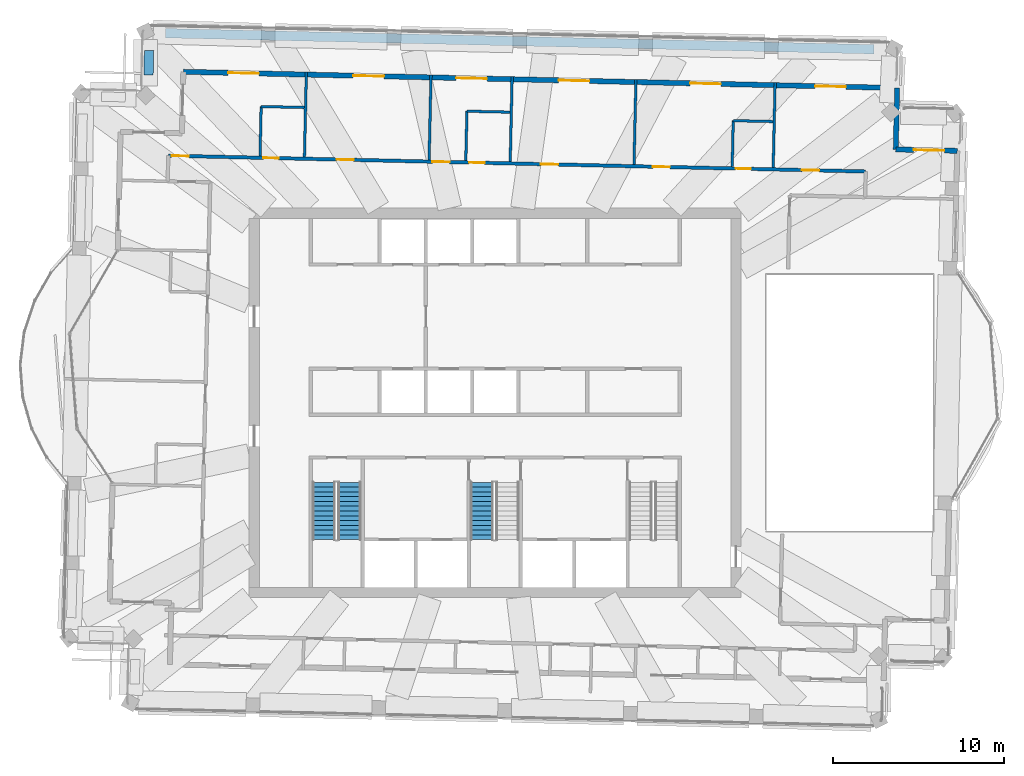
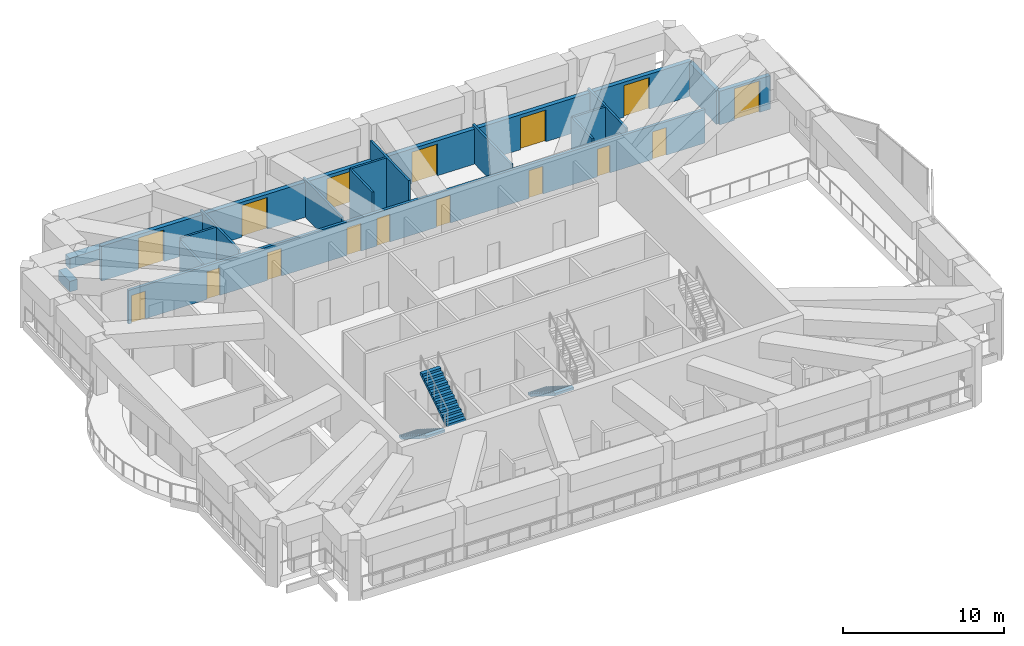
# One storey, part 12 of 19: 17 walls, 16 doors, 3 stair flights, 16 openings, 2 elements without a shape of their own.
"""IFC4 building model written with IfcOpenShell, lengths in metres."""

from ifc_helpers import new_model, si_unit, direction, frame, frame_2d, origin, place, context, subcontext, project, spatial, polyline, rectangle, outline, extrude, material, layer, layer_set, type_object, element, fill, aggregate, save


model = new_model("IFC4")

# Units and contexts
model_context = context("Model", 3, precision=1e-05, world=origin(), true_north=direction((0.0, 1.0)))
body_context = subcontext(model_context, "Body", "Model", "MODEL_VIEW")
ifc_project = project(units=[si_unit("LENGTHUNIT", "METRE"), si_unit("AREAUNIT", "SQUARE_METRE"), si_unit("VOLUMEUNIT", "CUBIC_METRE"), si_unit("PLANEANGLEUNIT", "RADIAN"), si_unit("MASSUNIT", "GRAM", prefix="KILO")], contexts=[model_context])

# Site, building, storey
site_placement = place(None, origin())
site = spatial("IfcSite", under=ifc_project, at=site_placement, CompositionType="ELEMENT")
building_placement = place(site_placement, origin())
building = spatial("IfcBuilding", under=site, at=building_placement, Name="Mangrove Gate Tower", CompositionType="ELEMENT")
storey_placement = place(building_placement, frame((0.0, 0.0, 346.10009765625)))
storey = spatial("IfcBuildingStorey", under=building, at=storey_placement, Name="L88", CompositionType="ELEMENT", Elevation=346.10009765625)

# Wall, openings, doors
ifc_material_1 = material(Name="Gypsum board on steel stud, EI 60", Category="steel")
ifc_layer_1 = layer(ifc_material_1, 0.199951171875)
ifc_layer_set_1 = layer_set([ifc_layer_1], Name="Corridor wall EI 60")
wall_type_1 = type_object("IfcWallType", Name="Corridor wall EI 60", PredefinedType="PARTITIONING", material=ifc_layer_set_1)
wall_1_placement = place(storey_placement, frame((-19.132080078125, 14.470947265625, 0.0), z_axis=(0.0, 0.0, 1.0), x_axis=(0.999742846934, -0.022676860534, 0.0)))
wall_1 = element("IfcWall", 1, at=wall_1_placement, inside=storey, type_object=wall_type_1, Name="WALL-L88-031", PredefinedType="PARTITIONING", context=body_context, shape_type="SweptSolid", body=[
    extrude(rectangle(XDim=40.835693359375, YDim=0.199951171875, at=frame_2d((20.41796875, 0.0))), origin(), (0.0, 0.0, 1.0), 2.5498046875),
])
opening_1_placement = place(wall_1_placement, frame((37.10791015625, 0.0, 0.0)))
opening_1 = element("IfcOpeningElement", 2, at=opening_1_placement, cuts=wall_1, Name="Opening AD", PredefinedType="OPENING", context=body_context, shape_type="SweptSolid", body=[
    extrude(rectangle(XDim=1.0, YDim=2.10009765625, at=frame_2d((0.5, 1.050048828125))), frame((0.0, 0.10986328125, 0.0), z_axis=(0.0, -1.0, 0.0), x_axis=(1.0, 0.0, 0.0)), (0.0, 0.0, 1.0), 0.219970703125),
])
opening_2_placement = place(wall_1_placement, frame((28.3720703125, 0.0, 0.0)))
opening_2 = element("IfcOpeningElement", 3, at=opening_2_placement, cuts=wall_1, Name="Opening AD", PredefinedType="OPENING", context=body_context, shape_type="SweptSolid", body=[
    extrude(rectangle(XDim=1.0, YDim=2.10009765625, at=frame_2d((0.5, 1.050048828125))), frame((0.0, 0.10986328125, 0.0), z_axis=(0.0, -1.0, 0.0), x_axis=(1.0, 0.0, 0.0)), (0.0, 0.0, 1.0), 0.219970703125),
])
opening_3_placement = place(wall_1_placement, frame((33.218017578125, 0.0, 0.0)))
opening_3 = element("IfcOpeningElement", 4, at=opening_3_placement, cuts=wall_1, Name="Opening SD", PredefinedType="OPENING", context=body_context, shape_type="SweptSolid", body=[
    extrude(rectangle(XDim=0.89990234375, YDim=2.10009765625, at=frame_2d((0.449951171875, 1.050048828125))), frame((0.0, 0.10986328125, 0.0), z_axis=(0.0, -1.0, 0.0), x_axis=(1.0, 0.0, 0.0)), (0.0, 0.0, 1.0), 0.219970703125),
])
opening_4_placement = place(wall_1_placement, frame((21.822998046875, 0.0, 0.0)))
opening_4 = element("IfcOpeningElement", 5, at=opening_4_placement, cuts=wall_1, Name="Opening AD", PredefinedType="OPENING", context=body_context, shape_type="SweptSolid", body=[
    extrude(rectangle(XDim=1.0, YDim=2.10009765625, at=frame_2d((0.5, 1.050048828125))), frame((0.0, 0.10986328125, 0.0), z_axis=(0.0, -1.0, 0.0), x_axis=(1.0, 0.0, 0.0)), (0.0, 0.0, 1.0), 0.219970703125),
])
opening_5_placement = place(wall_1_placement, frame((15.468017578125, 0.0, 0.0)))
opening_5 = element("IfcOpeningElement", 6, at=opening_5_placement, cuts=wall_1, Name="Opening AD", PredefinedType="OPENING", context=body_context, shape_type="SweptSolid", body=[
    extrude(rectangle(XDim=1.0, YDim=2.10009765625, at=frame_2d((0.5, 1.050048828125))), frame((0.0, 0.10986328125, 0.0), z_axis=(0.0, -1.0, 0.0), x_axis=(1.0, 0.0, 0.0)), (0.0, 0.0, 1.0), 0.219970703125),
])
opening_6_placement = place(wall_1_placement, frame((17.617919921875, 0.0, 0.0)))
opening_6 = element("IfcOpeningElement", 7, at=opening_6_placement, cuts=wall_1, Name="Opening SD", PredefinedType="OPENING", context=body_context, shape_type="SweptSolid", body=[
    extrude(rectangle(XDim=0.89990234375, YDim=2.10009765625, at=frame_2d((0.449951171875, 1.050048828125))), frame((0.0, 0.10986328125, 0.0), z_axis=(0.0, -1.0, 0.0), x_axis=(1.0, 0.0, 0.0)), (0.0, 0.0, 1.0), 0.219970703125),
])
opening_7_placement = place(wall_1_placement, frame((9.85205078125, 0.0, 0.0)))
opening_7 = element("IfcOpeningElement", 8, at=opening_7_placement, cuts=wall_1, Name="Opening AD", PredefinedType="OPENING", context=body_context, shape_type="SweptSolid", body=[
    extrude(rectangle(XDim=1.0, YDim=2.10009765625, at=frame_2d((0.5, 1.050048828125))), frame((0.0, 0.10986328125, 0.0), z_axis=(0.0, -1.0, 0.0), x_axis=(1.0, 0.0, 0.0)), (0.0, 0.0, 1.0), 0.219970703125),
])
opening_8_placement = place(wall_1_placement, frame((0.199951171875, 0.0, 0.0)))
opening_8 = element("IfcOpeningElement", 9, at=opening_8_placement, cuts=wall_1, Name="Opening AD", PredefinedType="OPENING", context=body_context, shape_type="SweptSolid", body=[
    extrude(rectangle(XDim=1.0, YDim=2.10009765625, at=frame_2d((0.5, 1.050048828125))), frame((0.0, 0.10986328125, 0.0), z_axis=(0.0, -1.0, 0.0), x_axis=(1.0, 0.0, 0.0)), (0.0, 0.0, 1.0), 0.219970703125),
])
opening_9_placement = place(wall_1_placement, frame((5.568115234375, 0.0, 0.0)))
opening_9 = element("IfcOpeningElement", 10, at=opening_9_placement, cuts=wall_1, Name="Opening SD", PredefinedType="OPENING", context=body_context, shape_type="SweptSolid", body=[
    extrude(rectangle(XDim=0.89990234375, YDim=2.10009765625, at=frame_2d((0.449951171875, 1.050048828125))), frame((0.0, 0.10986328125, 0.0), z_axis=(0.0, -1.0, 0.0), x_axis=(1.0, 0.0, 0.0)), (0.0, 0.0, 1.0), 0.219970703125),
])
ifc_material_2 = material(Name="Timber door leaf", Category="wood")
door_type_1 = type_object("IfcDoorType", Name="Amenity door 1000", OperationType="SINGLE_SWING_LEFT", PredefinedType="DOOR", material=ifc_material_2)
door_1_placement = place(opening_1_placement, origin())
door_1 = element("IfcDoor", 11, at=door_1_placement, inside=storey, type_object=door_type_1, Name="DOOR-L88-GAM-c3a", OperationType="SINGLE_SWING_LEFT", OverallHeight=2.10009765625, OverallWidth=1.0, PredefinedType="DOOR", context=body_context, shape_type="SweptSolid", body=[
    extrude(rectangle(XDim=1.0, YDim=2.10009765625, at=frame_2d((0.5, 1.050048828125))), frame((0.0, 0.02490234375, 0.0), z_axis=(0.0, -1.0, 0.0), x_axis=(1.0, 0.0, 0.0)), (0.0, 0.0, 1.0), 0.050048828125),
])
fill(opening_1, door_1)
door_2_placement = place(opening_2_placement, origin())
door_2 = element("IfcDoor", 12, at=door_2_placement, inside=storey, type_object=door_type_1, Name="DOOR-L88-LNG-c3a", OperationType="SINGLE_SWING_RIGHT", OverallHeight=2.10009765625, OverallWidth=1.0, PredefinedType="DOOR", context=body_context, shape_type="SweptSolid", body=[
    extrude(rectangle(XDim=1.0, YDim=2.10009765625, at=frame_2d((0.5, 1.050048828125))), frame((0.0, 0.02490234375, 0.0), z_axis=(0.0, -1.0, 0.0), x_axis=(1.0, 0.0, 0.0)), (0.0, 0.0, 1.0), 0.050048828125),
])
fill(opening_2, door_2)
door_3_placement = place(opening_4_placement, origin())
door_3 = element("IfcDoor", 13, at=door_3_placement, inside=storey, type_object=door_type_1, Name="DOOR-L88-GAM-c3b", OperationType="SINGLE_SWING_LEFT", OverallHeight=2.10009765625, OverallWidth=1.0, PredefinedType="DOOR", context=body_context, shape_type="SweptSolid", body=[
    extrude(rectangle(XDim=1.0, YDim=2.10009765625, at=frame_2d((0.5, 1.050048828125))), frame((0.0, 0.02490234375, 0.0), z_axis=(0.0, -1.0, 0.0), x_axis=(1.0, 0.0, 0.0)), (0.0, 0.0, 1.0), 0.050048828125),
])
fill(opening_4, door_3)
door_4_placement = place(opening_5_placement, origin())
door_4 = element("IfcDoor", 14, at=door_4_placement, inside=storey, type_object=door_type_1, Name="DOOR-L88-STU-c4a", OperationType="SINGLE_SWING_RIGHT", OverallHeight=2.10009765625, OverallWidth=1.0, PredefinedType="DOOR", context=body_context, shape_type="SweptSolid", body=[
    extrude(rectangle(XDim=1.0, YDim=2.10009765625, at=frame_2d((0.5, 1.050048828125))), frame((0.0, 0.02490234375, 0.0), z_axis=(0.0, -1.0, 0.0), x_axis=(1.0, 0.0, 0.0)), (0.0, 0.0, 1.0), 0.050048828125),
])
fill(opening_5, door_4)
door_5_placement = place(opening_7_placement, origin())
door_5 = element("IfcDoor", 15, at=door_5_placement, inside=storey, type_object=door_type_1, Name="DOOR-L88-GAM-c4a", OperationType="SINGLE_SWING_LEFT", OverallHeight=2.10009765625, OverallWidth=1.0, PredefinedType="DOOR", context=body_context, shape_type="SweptSolid", body=[
    extrude(rectangle(XDim=1.0, YDim=2.10009765625, at=frame_2d((0.5, 1.050048828125))), frame((0.0, 0.02490234375, 0.0), z_axis=(0.0, -1.0, 0.0), x_axis=(1.0, 0.0, 0.0)), (0.0, 0.0, 1.0), 0.050048828125),
])
fill(opening_7, door_5)
door_6_placement = place(opening_8_placement, origin())
door_6 = element("IfcDoor", 16, at=door_6_placement, inside=storey, type_object=door_type_1, Name="DOOR-L88-GAM-c4b", OperationType="SINGLE_SWING_RIGHT", OverallHeight=2.10009765625, OverallWidth=1.0, PredefinedType="DOOR", context=body_context, shape_type="SweptSolid", body=[
    extrude(rectangle(XDim=1.0, YDim=2.10009765625, at=frame_2d((0.5, 1.050048828125))), frame((0.0, 0.02490234375, 0.0), z_axis=(0.0, -1.0, 0.0), x_axis=(1.0, 0.0, 0.0)), (0.0, 0.0, 1.0), 0.050048828125),
])
fill(opening_8, door_6)
ifc_material_3 = material(Name="Timber door leaf", Category="wood")
door_type_2 = type_object("IfcDoorType", Name="Service room door 900", OperationType="SINGLE_SWING_LEFT", PredefinedType="DOOR", material=ifc_material_3)
door_7_placement = place(opening_3_placement, origin())
door_7 = element("IfcDoor", 17, at=door_7_placement, inside=storey, type_object=door_type_2, Name="DOOR-L88-WC-c3a", OperationType="SINGLE_SWING_LEFT", OverallHeight=2.10009765625, OverallWidth=0.89990234375, PredefinedType="DOOR", context=body_context, shape_type="SweptSolid", body=[
    extrude(rectangle(XDim=0.89990234375, YDim=2.10009765625, at=frame_2d((0.449951171875, 1.050048828125))), frame((0.0, 0.02490234375, 0.0), z_axis=(0.0, -1.0, 0.0), x_axis=(1.0, 0.0, 0.0)), (0.0, 0.0, 1.0), 0.050048828125),
])
fill(opening_3, door_7)
door_8_placement = place(opening_6_placement, origin())
door_8 = element("IfcDoor", 18, at=door_8_placement, inside=storey, type_object=door_type_2, Name="DOOR-L88-AWC-c4a", OperationType="SINGLE_SWING_RIGHT", OverallHeight=2.10009765625, OverallWidth=0.89990234375, PredefinedType="DOOR", context=body_context, shape_type="SweptSolid", body=[
    extrude(rectangle(XDim=0.89990234375, YDim=2.10009765625, at=frame_2d((0.449951171875, 1.050048828125))), frame((0.0, 0.02490234375, 0.0), z_axis=(0.0, -1.0, 0.0), x_axis=(1.0, 0.0, 0.0)), (0.0, 0.0, 1.0), 0.050048828125),
])
fill(opening_6, door_8)
door_9_placement = place(opening_9_placement, origin())
door_9 = element("IfcDoor", 19, at=door_9_placement, inside=storey, type_object=door_type_2, Name="DOOR-L88-AWC-c4b", OperationType="SINGLE_SWING_LEFT", OverallHeight=2.10009765625, OverallWidth=0.89990234375, PredefinedType="DOOR", context=body_context, shape_type="SweptSolid", body=[
    extrude(rectangle(XDim=0.89990234375, YDim=2.10009765625, at=frame_2d((0.449951171875, 1.050048828125))), frame((0.0, 0.02490234375, 0.0), z_axis=(0.0, -1.0, 0.0), x_axis=(1.0, 0.0, 0.0)), (0.0, 0.0, 1.0), 0.050048828125),
])
fill(opening_9, door_9)

# Wall, opening, door
ifc_material_4 = material(Name="Limestone", Category="masonry")
ifc_layer_2 = layer(ifc_material_4, 0.0400390625, Name="Limestone cladding")
ifc_material_5 = material(Name="Ventilated air gap")
ifc_layer_3 = layer(ifc_material_5, 0.0400390625, Name="Ventilated cavity")
ifc_material_6 = material(Name="Mineral wool insulation")
ifc_layer_4 = layer(ifc_material_6, 0.06005859375, Name="Insulation")
ifc_material_7 = material(Name="Breather membrane")
ifc_layer_5 = layer(ifc_material_7, 0.001953125, Name="Breather membrane")
ifc_material_8 = material(Name="Concrete C20/25 blockwork", Category="masonry")
ifc_layer_6 = layer(ifc_material_8, 0.14990234375, Name="Blockwork backing wall")
ifc_material_9 = material(Name="Gypsum plaster")
ifc_layer_7 = layer(ifc_material_9, 0.008056640625, Name="Internal plaster")
ifc_layer_set_2 = layer_set([ifc_layer_2, ifc_layer_3, ifc_layer_4, ifc_layer_5, ifc_layer_6, ifc_layer_7], Name="External wall 300 limestone cladding")
wall_type_2 = type_object("IfcWallType", Name="External wall 300 limestone cladding", PredefinedType="SOLIDWALL", material=ifc_layer_set_2)
wall_2_placement = place(storey_placement, frame((27.054931640625, 14.7529296875, 0.0), z_axis=(0.0, 0.0, 1.0), x_axis=(-0.999740327787, 0.022787650101, 0.0)))
wall_2 = element("IfcWall", 20, at=wall_2_placement, inside=storey, type_object=wall_type_2, Name="WALL-L88-N3", PredefinedType="SOLIDWALL", context=body_context, shape_type="SweptSolid", body=[
    extrude(rectangle(XDim=3.599853515625, YDim=0.300048828125, at=frame_2d((1.7998046875, 0.0))), origin(), (0.0, 0.0, 1.0), 2.5498046875),
])
opening_10_placement = place(wall_2_placement, frame((0.75, 0.0, 0.0)))
opening_10 = element("IfcOpeningElement", 21, at=opening_10_placement, cuts=wall_2, Name="Opening TD1", PredefinedType="OPENING", context=body_context, shape_type="SweptSolid", body=[
    extrude(rectangle(XDim=1.800048828125, YDim=2.39990234375, at=frame_2d((0.89990234375, 1.199951171875))), frame((0.0, 0.159912109375, 0.0), z_axis=(0.0, -1.0, 0.0), x_axis=(1.0, 0.0, 0.0)), (0.0, 0.0, 1.0), 0.320068359375),
])
ifc_material_10 = material(Name="Aluminium frame with laminated clear glass", Category="aluminium")
door_type_3 = type_object("IfcDoorType", Name="Terrace door 1800x2400", OperationType="DOUBLE_DOOR_SINGLE_SWING", PredefinedType="DOOR", material=ifc_material_10)
door_10_placement = place(opening_10_placement, origin())
door_10 = element("IfcDoor", 22, at=door_10_placement, inside=storey, type_object=door_type_3, Name="DOOR-L88-N3-1", OperationType="DOUBLE_DOOR_SINGLE_SWING", OverallHeight=2.39990234375, OverallWidth=1.800048828125, PredefinedType="DOOR", context=body_context, shape_type="SweptSolid", body=[
    extrude(rectangle(XDim=1.800048828125, YDim=2.39990234375, at=frame_2d((0.89990234375, 1.199951171875))), frame((0.0, 0.02490234375, 0.0), z_axis=(0.0, -1.0, 0.0), x_axis=(1.0, 0.0, 0.0)), (0.0, 0.0, 1.0), 0.050048828125),
])
fill(opening_10, door_10)

# Wall
wall_3_placement = place(storey_placement, frame((23.4560546875, 14.8349609375, 0.0), z_axis=(0.0, 0.0, 1.0), x_axis=(0.022514980321, 0.999746505701, 0.0)))
element("IfcWall", 23, at=wall_3_placement, inside=storey, type_object=wall_type_2, Name="WALL-L88-E4", PredefinedType="SOLIDWALL", context=body_context, shape_type="SweptSolid", body=[
    extrude(rectangle(XDim=3.60009765625, YDim=0.300048828125, at=frame_2d((1.800048828125, 0.0))), origin(), (0.0, 0.0, 1.0), 2.5498046875),
])

# Wall, openings, doors
wall_4_placement = place(storey_placement, frame((23.537109375, 18.43408203125, 0.0), z_axis=(0.0, 0.0, 1.0), x_axis=(-0.999742787513, 0.022679480066, 0.0)))
wall_4 = element("IfcWall", 24, at=wall_4_placement, inside=storey, type_object=wall_type_2, Name="WALL-L88-N5", PredefinedType="SOLIDWALL", context=body_context, shape_type="SweptSolid", body=[
    extrude(rectangle(XDim=41.7998046875, YDim=0.300048828125, at=frame_2d((20.89990234375, 0.0))), origin(), (0.0, 0.0, 1.0), 2.64990234375),
])
opening_11_placement = place(wall_4_placement, frame((3.0, 0.0, 0.0)))
opening_11 = element("IfcOpeningElement", 25, at=opening_11_placement, cuts=wall_4, Name="Opening TD1", PredefinedType="OPENING", context=body_context, shape_type="SweptSolid", body=[
    extrude(rectangle(XDim=1.800048828125, YDim=2.39990234375, at=frame_2d((0.89990234375, 1.199951171875))), frame((0.0, 0.159912109375, 0.0), z_axis=(0.0, -1.0, 0.0), x_axis=(1.0, 0.0, 0.0)), (0.0, 0.0, 1.0), 0.320068359375),
])
opening_12_placement = place(wall_4_placement, frame((10.324951171875, 0.0, 0.0)))
opening_12 = element("IfcOpeningElement", 26, at=opening_12_placement, cuts=wall_4, Name="Opening TD1", PredefinedType="OPENING", context=body_context, shape_type="SweptSolid", body=[
    extrude(rectangle(XDim=1.800048828125, YDim=2.39990234375, at=frame_2d((0.89990234375, 1.199951171875))), frame((0.0, 0.159912109375, 0.0), z_axis=(0.0, -1.0, 0.0), x_axis=(1.0, 0.0, 0.0)), (0.0, 0.0, 1.0), 0.320068359375),
])
opening_13_placement = place(wall_4_placement, frame((18.02490234375, 0.0, 0.0)))
opening_13 = element("IfcOpeningElement", 27, at=opening_13_placement, cuts=wall_4, Name="Opening TD1", PredefinedType="OPENING", context=body_context, shape_type="SweptSolid", body=[
    extrude(rectangle(XDim=1.800048828125, YDim=2.39990234375, at=frame_2d((0.89990234375, 1.199951171875))), frame((0.0, 0.159912109375, 0.0), z_axis=(0.0, -1.0, 0.0), x_axis=(1.0, 0.0, 0.0)), (0.0, 0.0, 1.0), 0.320068359375),
])
opening_14_placement = place(wall_4_placement, frame((24.02490234375, 0.0, 0.0)))
opening_14 = element("IfcOpeningElement", 28, at=opening_14_placement, cuts=wall_4, Name="Opening TD1", PredefinedType="OPENING", context=body_context, shape_type="SweptSolid", body=[
    extrude(rectangle(XDim=1.800048828125, YDim=2.39990234375, at=frame_2d((0.89990234375, 1.199951171875))), frame((0.0, 0.159912109375, 0.0), z_axis=(0.0, -1.0, 0.0), x_axis=(1.0, 0.0, 0.0)), (0.0, 0.0, 1.0), 0.320068359375),
])
opening_15_placement = place(wall_4_placement, frame((30.050048828125, 0.0, 0.0)))
opening_15 = element("IfcOpeningElement", 29, at=opening_15_placement, cuts=wall_4, Name="Opening TD1", PredefinedType="OPENING", context=body_context, shape_type="SweptSolid", body=[
    extrude(rectangle(XDim=1.800048828125, YDim=2.39990234375, at=frame_2d((0.89990234375, 1.199951171875))), frame((0.0, 0.159912109375, 0.0), z_axis=(0.0, -1.0, 0.0), x_axis=(1.0, 0.0, 0.0)), (0.0, 0.0, 1.0), 0.320068359375),
])
opening_16_placement = place(wall_4_placement, frame((37.375, 0.0, 0.0)))
opening_16 = element("IfcOpeningElement", 30, at=opening_16_placement, cuts=wall_4, Name="Opening TD1", PredefinedType="OPENING", context=body_context, shape_type="SweptSolid", body=[
    extrude(rectangle(XDim=1.800048828125, YDim=2.39990234375, at=frame_2d((0.89990234375, 1.199951171875))), frame((0.0, 0.159912109375, 0.0), z_axis=(0.0, -1.0, 0.0), x_axis=(1.0, 0.0, 0.0)), (0.0, 0.0, 1.0), 0.320068359375),
])
door_11_placement = place(opening_11_placement, origin())
door_11 = element("IfcDoor", 31, at=door_11_placement, inside=storey, type_object=door_type_3, Name="DOOR-L88-N5-1", OperationType="DOUBLE_DOOR_SINGLE_SWING", OverallHeight=2.39990234375, OverallWidth=1.800048828125, PredefinedType="DOOR", context=body_context, shape_type="SweptSolid", body=[
    extrude(rectangle(XDim=1.800048828125, YDim=2.39990234375, at=frame_2d((0.89990234375, 1.199951171875))), frame((0.0, 0.02490234375, 0.0), z_axis=(0.0, -1.0, 0.0), x_axis=(1.0, 0.0, 0.0)), (0.0, 0.0, 1.0), 0.050048828125),
])
fill(opening_11, door_11)
door_12_placement = place(opening_12_placement, origin())
door_12 = element("IfcDoor", 32, at=door_12_placement, inside=storey, type_object=door_type_3, Name="DOOR-L88-N5-2", OperationType="DOUBLE_DOOR_SINGLE_SWING", OverallHeight=2.39990234375, OverallWidth=1.800048828125, PredefinedType="DOOR", context=body_context, shape_type="SweptSolid", body=[
    extrude(rectangle(XDim=1.800048828125, YDim=2.39990234375, at=frame_2d((0.89990234375, 1.199951171875))), frame((0.0, 0.02490234375, 0.0), z_axis=(0.0, -1.0, 0.0), x_axis=(1.0, 0.0, 0.0)), (0.0, 0.0, 1.0), 0.050048828125),
])
fill(opening_12, door_12)
door_13_placement = place(opening_13_placement, origin())
door_13 = element("IfcDoor", 33, at=door_13_placement, inside=storey, type_object=door_type_3, Name="DOOR-L88-N5-3", OperationType="DOUBLE_DOOR_SINGLE_SWING", OverallHeight=2.39990234375, OverallWidth=1.800048828125, PredefinedType="DOOR", context=body_context, shape_type="SweptSolid", body=[
    extrude(rectangle(XDim=1.800048828125, YDim=2.39990234375, at=frame_2d((0.89990234375, 1.199951171875))), frame((0.0, 0.02490234375, 0.0), z_axis=(0.0, -1.0, 0.0), x_axis=(1.0, 0.0, 0.0)), (0.0, 0.0, 1.0), 0.050048828125),
])
fill(opening_13, door_13)
door_14_placement = place(opening_14_placement, origin())
door_14 = element("IfcDoor", 34, at=door_14_placement, inside=storey, type_object=door_type_3, Name="DOOR-L88-N5-4", OperationType="DOUBLE_DOOR_SINGLE_SWING", OverallHeight=2.39990234375, OverallWidth=1.800048828125, PredefinedType="DOOR", context=body_context, shape_type="SweptSolid", body=[
    extrude(rectangle(XDim=1.800048828125, YDim=2.39990234375, at=frame_2d((0.89990234375, 1.199951171875))), frame((0.0, 0.02490234375, 0.0), z_axis=(0.0, -1.0, 0.0), x_axis=(1.0, 0.0, 0.0)), (0.0, 0.0, 1.0), 0.050048828125),
])
fill(opening_14, door_14)
door_15_placement = place(opening_15_placement, origin())
door_15 = element("IfcDoor", 35, at=door_15_placement, inside=storey, type_object=door_type_3, Name="DOOR-L88-N5-5", OperationType="DOUBLE_DOOR_SINGLE_SWING", OverallHeight=2.39990234375, OverallWidth=1.800048828125, PredefinedType="DOOR", context=body_context, shape_type="SweptSolid", body=[
    extrude(rectangle(XDim=1.800048828125, YDim=2.39990234375, at=frame_2d((0.89990234375, 1.199951171875))), frame((0.0, 0.02490234375, 0.0), z_axis=(0.0, -1.0, 0.0), x_axis=(1.0, 0.0, 0.0)), (0.0, 0.0, 1.0), 0.050048828125),
])
fill(opening_15, door_15)
door_16_placement = place(opening_16_placement, origin())
door_16 = element("IfcDoor", 36, at=door_16_placement, inside=storey, type_object=door_type_3, Name="DOOR-L88-N5-6", OperationType="DOUBLE_DOOR_SINGLE_SWING", OverallHeight=2.39990234375, OverallWidth=1.800048828125, PredefinedType="DOOR", context=body_context, shape_type="SweptSolid", body=[
    extrude(rectangle(XDim=1.800048828125, YDim=2.39990234375, at=frame_2d((0.89990234375, 1.199951171875))), frame((0.0, 0.02490234375, 0.0), z_axis=(0.0, -1.0, 0.0), x_axis=(1.0, 0.0, 0.0)), (0.0, 0.0, 1.0), 0.050048828125),
])
fill(opening_16, door_16)

# Walls
ifc_material_11 = material(Name="Gypsum board on steel stud, EI 60", Category="steel")
ifc_layer_8 = layer(ifc_material_11, 0.14990234375)
ifc_layer_set_3 = layer_set([ifc_layer_8], Name="Party wall 150 EI 60")
wall_type_3 = type_object("IfcWallType", Name="Party wall 150 EI 60", PredefinedType="PARTITIONING", material=ifc_layer_set_3)
wall_5_placement = place(storey_placement, frame((-13.762939453125, 14.452880859375, 0.0), z_axis=(0.0, 0.0, 1.0), x_axis=(0.022730967319, 0.999741618182, 0.0)))
element("IfcWall", 37, at=wall_5_placement, inside=storey, type_object=wall_type_3, Name="WALL-L88-032", PredefinedType="PARTITIONING", context=body_context, shape_type="SweptSolid", body=[
    extrude(rectangle(XDim=2.89990234375, YDim=0.14990234375, at=frame_2d((1.449951171875, 0.0))), origin(), (0.0, 0.0, 1.0), 2.64990234375),
])
wall_6_placement = place(storey_placement, frame((-11.1630859375, 14.39404296875, 0.0), z_axis=(0.0, 0.0, 1.0), x_axis=(0.022715832973, 0.999741962174, 0.0)))
element("IfcWall", 38, at=wall_6_placement, inside=storey, type_object=wall_type_3, Name="WALL-L88-033", PredefinedType="PARTITIONING", context=body_context, shape_type="SweptSolid", body=[
    extrude(rectangle(XDim=4.97607421875, YDim=0.14990234375, at=frame_2d((2.488037109375, 0.0))), origin(), (0.0, 0.0, 1.0), 2.849853515625),
])
wall_7_placement = place(storey_placement, frame((-3.864990234375, 14.22900390625, 0.0), z_axis=(0.0, 0.0, 1.0), x_axis=(0.022720290659, 0.999741860878, 0.0)))
element("IfcWall", 39, at=wall_7_placement, inside=storey, type_object=wall_type_3, Name="WALL-L88-034", PredefinedType="PARTITIONING", context=body_context, shape_type="SweptSolid", body=[
    extrude(rectangle(XDim=4.97509765625, YDim=0.14990234375, at=frame_2d((2.487548828125, 0.0))), origin(), (0.0, 0.0, 1.0), 2.849853515625),
])
wall_8_placement = place(storey_placement, frame((-1.716064453125, 14.179931640625, 0.0), z_axis=(0.0, 0.0, 1.0), x_axis=(0.022815112345, 0.999739701447, 0.0)))
element("IfcWall", 40, at=wall_8_placement, inside=storey, type_object=wall_type_3, Name="WALL-L88-035", PredefinedType="PARTITIONING", context=body_context, shape_type="SweptSolid", body=[
    extrude(rectangle(XDim=2.89990234375, YDim=0.14990234375, at=frame_2d((1.449951171875, 0.0))), origin(), (0.0, 0.0, 1.0), 4.0498046875),
])
wall_9_placement = place(storey_placement, frame((0.884033203125, 14.12109375, 0.0), z_axis=(0.0, 0.0, 1.0), x_axis=(0.022519683834, 0.999746399763, 0.0)))
element("IfcWall", 41, at=wall_9_placement, inside=storey, type_object=wall_type_3, Name="WALL-L88-036", PredefinedType="PARTITIONING", context=body_context, shape_type="SweptSolid", body=[
    extrude(rectangle(XDim=4.97607421875, YDim=0.14990234375, at=frame_2d((2.488037109375, 0.0))), origin(), (0.0, 0.0, 1.0), 4.0498046875),
])
wall_10_placement = place(storey_placement, frame((8.132080078125, 13.9560546875, 0.0), z_axis=(0.0, 0.0, 1.0), x_axis=(0.022715832973, 0.999741962174, 0.0)))
element("IfcWall", 42, at=wall_10_placement, inside=storey, type_object=wall_type_3, Name="WALL-L88-037", PredefinedType="PARTITIONING", context=body_context, shape_type="SweptSolid", body=[
    extrude(rectangle(XDim=4.97607421875, YDim=0.14990234375, at=frame_2d((2.488037109375, 0.0))), origin(), (0.0, 0.0, 1.0), 2.849853515625),
])
wall_11_placement = place(storey_placement, frame((13.8798828125, 13.825927734375, 0.0), z_axis=(0.0, 0.0, 1.0), x_axis=(0.02260842146, 0.999744396973, 0.0)))
element("IfcWall", 43, at=wall_11_placement, inside=storey, type_object=wall_type_3, Name="WALL-L88-038", PredefinedType="PARTITIONING", context=body_context, shape_type="SweptSolid", body=[
    extrude(rectangle(XDim=2.69970703125, YDim=0.14990234375, at=frame_2d((1.349853515625, 0.0))), origin(), (0.0, 0.0, 1.0), 2.849853515625),
])
wall_12_placement = place(storey_placement, frame((16.280029296875, 13.77099609375, 0.0), z_axis=(0.0, 0.0, 1.0), x_axis=(0.022518579297, 0.999746424643, 0.0)))
element("IfcWall", 44, at=wall_12_placement, inside=storey, type_object=wall_type_3, Name="WALL-L88-039", PredefinedType="PARTITIONING", context=body_context, shape_type="SweptSolid", body=[
    extrude(rectangle(XDim=4.976318359375, YDim=0.14990234375, at=frame_2d((2.48828125, 0.0))), origin(), (0.0, 0.0, 1.0), 2.849853515625),
])
wall_13_placement = place(storey_placement, frame((13.94091796875, 16.52099609375, 0.0), z_axis=(0.0, 0.0, 1.0), x_axis=(0.99974053329, -0.022778632478, 0.0)))
element("IfcWall", 45, at=wall_13_placement, inside=storey, type_object=wall_type_3, Name="WALL-L88-040", PredefinedType="PARTITIONING", context=body_context, shape_type="SweptSolid", body=[
    extrude(rectangle(XDim=2.32568359375, YDim=0.14990234375, at=frame_2d((1.162841796875, 0.0))), origin(), (0.0, 0.0, 1.0), 2.849853515625),
])
wall_14_placement = place(storey_placement, frame((-13.697021484375, 17.347900390625, 0.0), z_axis=(0.0, 0.0, 1.0), x_axis=(0.9997461113, -0.022532486354, 0.0)))
element("IfcWall", 46, at=wall_14_placement, inside=storey, type_object=wall_type_3, Name="WALL-L88-041", PredefinedType="PARTITIONING", context=body_context, shape_type="SweptSolid", body=[
    extrude(rectangle(XDim=2.524658203125, YDim=0.14990234375, at=frame_2d((1.26220703125, 0.0))), origin(), (0.0, 0.0, 1.0), 2.849853515625),
])
wall_15_placement = place(storey_placement, frame((-1.64990234375, 17.074951171875, 0.0), z_axis=(0.0, 0.0, 1.0), x_axis=(0.9997461113, -0.022532486354, 0.0)))
element("IfcWall", 47, at=wall_15_placement, inside=storey, type_object=wall_type_3, Name="WALL-L88-042", PredefinedType="PARTITIONING", context=body_context, shape_type="SweptSolid", body=[
    extrude(rectangle(XDim=2.524658203125, YDim=0.14990234375, at=frame_2d((1.26220703125, 0.0))), origin(), (0.0, 0.0, 1.0), 4.0498046875),
])
ifc_material_12 = material(Name="Concrete C32/40", Category="concrete")
ifc_layer_9 = layer(ifc_material_12, 0.199951171875, Name="Planter trough wall")
ifc_material_13 = material(Name="Bituminous waterproofing membrane")
ifc_layer_10 = layer(ifc_material_13, 0.0048828125, Name="Waterproofing")
ifc_material_14 = material(Name="Drainage board and gravel")
ifc_layer_11 = layer(ifc_material_14, 0.044921875, Name="Drainage layer")
ifc_material_15 = material(Name="Planting soil")
ifc_layer_12 = layer(ifc_material_15, 0.300048828125, Name="Growing medium")
ifc_layer_set_4 = layer_set([ifc_layer_9, ifc_layer_10, ifc_layer_11, ifc_layer_12], Name="Planter wall 550 C32/40")
wall_type_4 = type_object("IfcWallType", Name="Planter wall 550 C32/40", PredefinedType="USERDEFINED", material=ifc_layer_set_4)
wall_16_placement = place(storey_placement, frame((-20.2919921875, 19.19091796875, 0.0), z_axis=(0.0, 0.0, 1.0), x_axis=(0.022929749512, 0.99973707873, 0.0)))
element("IfcWall", 48, at=wall_16_placement, inside=storey, type_object=wall_type_4, Name="PLANTER L88 T3.2.9", ObjectType="PLANTER", PredefinedType="USERDEFINED", context=body_context, shape_type="SweptSolid", body=[
    extrude(rectangle(XDim=1.4375, YDim=0.550048828125, at=frame_2d((0.71875, 0.0))), origin(), (0.0, 0.0, 1.0), 0.7998046875),
])
wall_17_placement = place(storey_placement, frame((-19.301025390625, 21.64208984375, 0.0), z_axis=(0.0, 0.0, 1.0), x_axis=(0.999742269674, -0.022702295639, 0.0)))
element("IfcWall", 49, at=wall_17_placement, inside=storey, type_object=wall_type_4, Name="PLANTER L88 T3.3.6", ObjectType="PLANTER", PredefinedType="USERDEFINED", context=body_context, shape_type="SweptSolid", body=[
    extrude(rectangle(XDim=41.499755859375, YDim=0.550048828125, at=frame_2d((20.75, 0.0))), origin(), (0.0, 0.0, 1.0), 0.7998046875),
])

# Stair, stair flights
ifc_material_16 = material(Name="Concrete C40/50", Category="concrete")
stair_type = type_object("IfcStairType", Name="Core stair 1350", PredefinedType="HALF_TURN_STAIR", material=ifc_material_16)
stair_1_placement = place(storey_placement, origin())
stair_1 = element("IfcStair", 50, at=stair_1_placement, inside=storey, type_object=stair_type, Name="L88 Stair 1", PredefinedType="HALF_TURN_STAIR")
ifc_material_17 = material(Name="Concrete C40/50", Category="concrete")
stair_flight_type = type_object("IfcStairFlightType", Name="Core stair flight 1350", PredefinedType="STRAIGHT", material=ifc_material_17)
stair_flight_1_placement = place(storey_placement, frame((-10.02490234375, -4.64990234375, 0.0), z_axis=(0.0, 0.0, 1.0), x_axis=(0.0, -1.0, 0.0)))
stair_flight_1 = element("IfcStairFlight", 51, at=stair_flight_1_placement, type_object=stair_flight_type, Name="ST1 flight 1", NumberOfRisers=13, NumberOfTreads=12, PredefinedType="STRAIGHT", RiserHeight=0.176923077, TreadLength=0.28, context=body_context, shape_type="SweptSolid", body=[
    extrude(outline(polyline([(0.0, 0.0), (0.0, 0.177001953125), (0.280029296875, 0.177001953125), (0.280029296875, 0.353759765625), (0.56005859375, 0.353759765625), (0.56005859375, 0.53076171875), (0.840087890625, 0.53076171875), (0.840087890625, 0.707763671875), (1.1201171875, 0.707763671875), (1.1201171875, 0.884521484375), (1.39990234375, 0.884521484375), (1.39990234375, 1.0615234375), (1.679931640625, 1.0615234375), (1.679931640625, 1.238525390625), (1.9599609375, 1.238525390625), (1.9599609375, 1.415283203125), (2.239990234375, 1.415283203125), (2.239990234375, 1.59228515625), (2.52001953125, 1.59228515625), (2.52001953125, 1.769287109375), (2.800048828125, 1.769287109375), (2.800048828125, 1.946044921875), (3.080078125, 1.946044921875), (3.080078125, 2.123046875), (3.360107421875, 2.123046875), (3.360107421875, 2.300048828125), (3.360107421875, 1.94580078125), (0.280517578125, 0.0), (0.0, 0.0)])), frame((0.0, 0.675048828125, 0.0), z_axis=(0.0, -1.0, 0.0), x_axis=(1.0, 0.0, 0.0)), (0.0, 0.0, 1.0), 1.35009765625),
])
stair_flight_2_placement = place(storey_placement, frame((-8.52490234375, -8.010009765625, 2.2998046875), z_axis=(0.0, 0.0, 1.0), x_axis=(0.0, 1.0, 0.0)))
stair_flight_2 = element("IfcStairFlight", 52, at=stair_flight_2_placement, type_object=stair_flight_type, Name="ST1 flight 2", NumberOfRisers=13, NumberOfTreads=12, PredefinedType="STRAIGHT", RiserHeight=0.176923077, TreadLength=0.28, context=body_context, shape_type="SweptSolid", body=[
    extrude(outline(polyline([(0.0, 0.0), (0.0, 0.177001953125), (0.280029296875, 0.177001953125), (0.280029296875, 0.353759765625), (0.56005859375, 0.353759765625), (0.56005859375, 0.53076171875), (0.840087890625, 0.53076171875), (0.840087890625, 0.707763671875), (1.1201171875, 0.707763671875), (1.1201171875, 0.884521484375), (1.39990234375, 0.884521484375), (1.39990234375, 1.0615234375), (1.679931640625, 1.0615234375), (1.679931640625, 1.238525390625), (1.9599609375, 1.238525390625), (1.9599609375, 1.415283203125), (2.239990234375, 1.415283203125), (2.239990234375, 1.59228515625), (2.52001953125, 1.59228515625), (2.52001953125, 1.769287109375), (2.800048828125, 1.769287109375), (2.800048828125, 1.946044921875), (3.080078125, 1.946044921875), (3.080078125, 2.123046875), (3.360107421875, 2.123046875), (3.360107421875, 2.300048828125), (3.360107421875, 1.94580078125), (0.280517578125, 0.0), (0.0, 0.0)])), frame((0.0, 0.675048828125, 0.0), z_axis=(0.0, -1.0, 0.0), x_axis=(1.0, 0.0, 0.0)), (0.0, 0.0, 1.0), 1.35009765625),
])
aggregate(stair_1, [stair_flight_1, stair_flight_2])

# Stair, stair flight
stair_2_placement = place(storey_placement, origin())
stair_2 = element("IfcStair", 53, at=stair_2_placement, inside=storey, type_object=stair_type, Name="L88 Stair 2", PredefinedType="HALF_TURN_STAIR")
stair_flight_3_placement = place(storey_placement, frame((-0.77490234375, -4.64990234375, 0.0), z_axis=(0.0, 0.0, 1.0), x_axis=(0.0, -1.0, 0.0)))
stair_flight_3 = element("IfcStairFlight", 54, at=stair_flight_3_placement, type_object=stair_flight_type, Name="ST2 flight 1", NumberOfRisers=13, NumberOfTreads=12, PredefinedType="STRAIGHT", RiserHeight=0.176923077, TreadLength=0.28, context=body_context, shape_type="SweptSolid", body=[
    extrude(outline(polyline([(0.0, 0.0), (0.0, 0.177001953125), (0.280029296875, 0.177001953125), (0.280029296875, 0.353759765625), (0.56005859375, 0.353759765625), (0.56005859375, 0.53076171875), (0.840087890625, 0.53076171875), (0.840087890625, 0.707763671875), (1.1201171875, 0.707763671875), (1.1201171875, 0.884521484375), (1.39990234375, 0.884521484375), (1.39990234375, 1.0615234375), (1.679931640625, 1.0615234375), (1.679931640625, 1.238525390625), (1.9599609375, 1.238525390625), (1.9599609375, 1.415283203125), (2.239990234375, 1.415283203125), (2.239990234375, 1.59228515625), (2.52001953125, 1.59228515625), (2.52001953125, 1.769287109375), (2.800048828125, 1.769287109375), (2.800048828125, 1.946044921875), (3.080078125, 1.946044921875), (3.080078125, 2.123046875), (3.360107421875, 2.123046875), (3.360107421875, 2.300048828125), (3.360107421875, 1.94580078125), (0.280517578125, 0.0), (0.0, 0.0)])), frame((0.0, 0.675048828125, 0.0), z_axis=(0.0, -1.0, 0.0), x_axis=(1.0, 0.0, 0.0)), (0.0, 0.0, 1.0), 1.35009765625),
])
aggregate(stair_2, [stair_flight_3])

save(model, "model.ifc")
